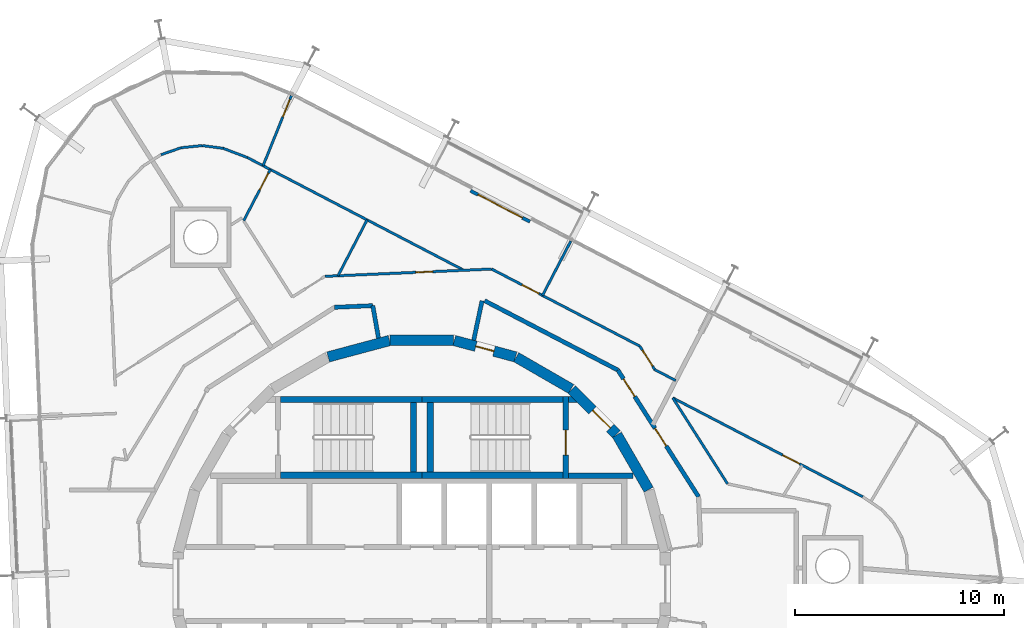
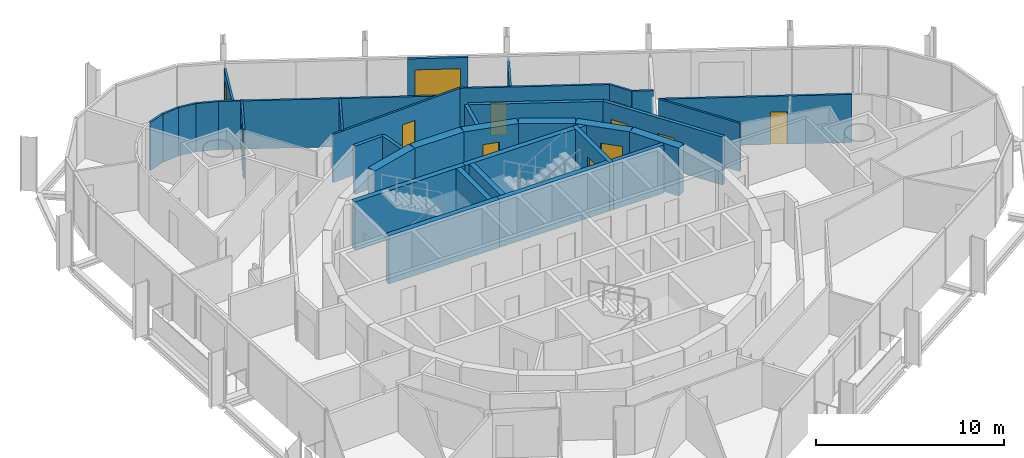
# One storey, part 16 of 18: 36 walls, 12 doors, 12 openings.
"""IFC4 building model written with IfcOpenShell, lengths in metres."""

from ifc_helpers import new_model, si_unit, direction, frame, frame_2d, origin, place, context, subcontext, project, spatial, polyline, rectangle, outline, extrude, material, layer, layer_set, type_object, element, fill, save


model = new_model("IFC4")

# Units and contexts
model_context = context("Model", 3, precision=1e-05, world=origin(), true_north=direction((0.0, 1.0)))
body_context = subcontext(model_context, "Body", "Model", "MODEL_VIEW")
ifc_project = project(units=[si_unit("LENGTHUNIT", "METRE"), si_unit("AREAUNIT", "SQUARE_METRE"), si_unit("VOLUMEUNIT", "CUBIC_METRE"), si_unit("PLANEANGLEUNIT", "RADIAN"), si_unit("MASSUNIT", "GRAM", prefix="KILO")], contexts=[model_context])

# Site, building, storey
site_placement = place(None, origin())
site = spatial("IfcSite", under=ifc_project, at=site_placement, CompositionType="ELEMENT")
building_placement = place(site_placement, origin())
building = spatial("IfcBuilding", under=site, at=building_placement, Name="Spindle Arch Residences", CompositionType="ELEMENT")
storey_placement = place(building_placement, frame((0.0, 0.0, 230.199951171875)))
storey = spatial("IfcBuildingStorey", under=building, at=storey_placement, Name="L58", CompositionType="ELEMENT", Elevation=230.199951171875)

# Wall
ifc_material_1 = material(Name="Concrete C50/60", Category="concrete")
ifc_layer_1 = layer(ifc_material_1, 0.5)
ifc_layer_set_1 = layer_set([ifc_layer_1], Name="Core outline wall 500")
wall_type_1 = type_object("IfcWallType", Name="Core outline wall 500", PredefinedType="SHEAR", material=ifc_layer_set_1)
wall_1_placement = place(storey_placement, frame((10.84521484375, 4.510498046875, 0.0), z_axis=(0.0, 0.0, 1.0), x_axis=(-0.500087131594, 0.865975092491, 0.0)))
element("IfcWall", 1, at=wall_1_placement, inside=storey, type_object=wall_type_1, Name="Core outline wall 8", PredefinedType="SHEAR", context=body_context, shape_type="SweptSolid", body=[
    extrude(rectangle(XDim=3.03271484375, YDim=0.5, at=frame_2d((1.516357421875, 0.0))), origin(), (0.0, 0.0, 1.0), 3.1201171875),
])

# Wall, opening, door
wall_2_placement = place(storey_placement, frame((9.30810546875, 7.163818359375, 0.0), z_axis=(0.0, 0.0, 1.0), x_axis=(-0.707106781187, 0.707106781187, 0.0)))
wall_2 = element("IfcWall", 2, at=wall_2_placement, inside=storey, type_object=wall_type_1, Name="Core outline wall 9", PredefinedType="SHEAR", context=body_context, shape_type="SweptSolid", body=[
    extrude(rectangle(XDim=3.032470703125, YDim=0.5, at=frame_2d((1.51611328125, 0.0))), origin(), (0.0, 0.0, 1.0), 3.1201171875),
])
opening_1_placement = place(wall_2_placement, frame((0.416259765625, 0.0, 0.0)))
opening_1 = element("IfcOpeningElement", 3, at=opening_1_placement, cuts=wall_2, Name="Opening R6A1-AD01", PredefinedType="OPENING", context=body_context, shape_type="SweptSolid", body=[
    extrude(rectangle(XDim=1.199951171875, YDim=2.10009765625, at=frame_2d((0.60009765625, 1.050048828125))), frame((0.0, 0.260009765625, 0.0), z_axis=(0.0, -1.0, 0.0), x_axis=(1.0, 0.0, 0.0)), (0.0, 0.0, 1.0), 0.52001953125),
])
ifc_material_2 = material(Name="Steel, fire-resisting door", Category="steel")
door_type_1 = type_object("IfcDoorType", Name="Stair airlock door 1200x2100", OperationType="SINGLE_SWING_LEFT", PredefinedType="DOOR", material=ifc_material_2)
door_1_placement = place(opening_1_placement, origin())
door_1 = element("IfcDoor", 4, at=door_1_placement, inside=storey, type_object=door_type_1, Name="Stair airlock door R6A1-AD01", OperationType="SINGLE_SWING_RIGHT", OverallHeight=2.10009765625, OverallWidth=1.199951171875, PredefinedType="DOOR", context=body_context, shape_type="SweptSolid", body=[
    extrude(rectangle(XDim=1.199951171875, YDim=2.10009765625, at=frame_2d((0.60009765625, 1.050048828125))), frame((0.0, 0.02490234375, 0.0), z_axis=(0.0, -1.0, 0.0), x_axis=(1.0, 0.0, 0.0)), (0.0, 0.0, 1.0), 0.050048828125),
])
fill(opening_1, door_1)

# Wall
wall_3_placement = place(storey_placement, frame((7.13671875, 9.32861328125, 0.0), z_axis=(0.0, 0.0, 1.0), x_axis=(-0.865975092491, 0.500087131594, 0.0)))
element("IfcWall", 5, at=wall_3_placement, inside=storey, type_object=wall_type_1, Name="Core outline wall 10", PredefinedType="SHEAR", context=body_context, shape_type="SweptSolid", body=[
    extrude(rectangle(XDim=3.03271484375, YDim=0.5, at=frame_2d((1.516357421875, 0.0))), origin(), (0.0, 0.0, 1.0), 3.1201171875),
])

# Wall, opening, door
wall_4_placement = place(storey_placement, frame((4.479248046875, 10.858154296875, 0.0), z_axis=(0.0, 0.0, 1.0), x_axis=(-0.965948410781, 0.258734743916, 0.0)))
wall_4 = element("IfcWall", 6, at=wall_4_placement, inside=storey, type_object=wall_type_1, Name="Core outline wall 11", PredefinedType="SHEAR", context=body_context, shape_type="SweptSolid", body=[
    extrude(rectangle(XDim=3.03271484375, YDim=0.5, at=frame_2d((1.516357421875, 0.0))), origin(), (0.0, 0.0, 1.0), 3.1201171875),
])
opening_2_placement = place(wall_4_placement, frame((1.066162109375, 0.0, 0.0)))
opening_2 = element("IfcOpeningElement", 7, at=opening_2_placement, cuts=wall_4, Name="Opening R6A1-WD11", PredefinedType="OPENING", context=body_context, shape_type="SweptSolid", body=[
    extrude(rectangle(XDim=0.89990234375, YDim=2.10009765625, at=frame_2d((0.449951171875, 1.050048828125))), frame((0.0, 0.260009765625, 0.0), z_axis=(0.0, -1.0, 0.0), x_axis=(1.0, 0.0, 0.0)), (0.0, 0.0, 1.0), 0.52001953125),
])
ifc_material_3 = material(Name="Steel, fire-resisting door", Category="steel")
door_type_2 = type_object("IfcDoorType", Name="Service room door 900x2100", OperationType="SINGLE_SWING_LEFT", PredefinedType="DOOR", material=ifc_material_3)
door_2_placement = place(opening_2_placement, origin())
door_2 = element("IfcDoor", 8, at=door_2_placement, inside=storey, type_object=door_type_2, Name="Service room door R6A1-WD11", OperationType="SINGLE_SWING_LEFT", OverallHeight=2.10009765625, OverallWidth=0.89990234375, PredefinedType="DOOR", context=body_context, shape_type="SweptSolid", body=[
    extrude(rectangle(XDim=0.89990234375, YDim=2.10009765625, at=frame_2d((0.449951171875, 1.050048828125))), frame((0.0, 0.02490234375, 0.0), z_axis=(0.0, -1.0, 0.0), x_axis=(1.0, 0.0, 0.0)), (0.0, 0.0, 1.0), 0.050048828125),
])
fill(opening_2, door_2)

# Walls
for number, where, z_axis, x_axis, name in (
    (9, (1.516357421875, 11.647216796875, 0.0), (0.0, 0.0, 1.0), (-1.0, 0.0, 0.0), "Core outline wall 12"),
    (10, (-1.5498046875, 11.642822265625, 0.0), (0.0, 0.0, 1.0), (-0.965948410781, -0.258734743916, 0.0), "Core outline wall 13"),
):
    element("IfcWall", number, at=place(storey_placement, frame(where, z_axis=z_axis, x_axis=x_axis)), inside=storey, type_object=wall_type_1, Name=name, PredefinedType="SHEAR", context=body_context, shape_type="SweptSolid", body=[
        extrude(rectangle(XDim=3.03271484375, YDim=0.5, at=frame_2d((1.516357421875, 0.0))), origin(), (0.0, 0.0, 1.0), 3.1201171875),
    ])

# Wall, openings, doors
ifc_material_4 = material(Name="Calcium silicate block, plastered")
ifc_layer_2 = layer(ifc_material_4, 0.199951171875)
ifc_layer_set_2 = layer_set([ifc_layer_2], Name="Corridor wall 200")
wall_type_2 = type_object("IfcWallType", Name="Corridor wall 200", PredefinedType="STANDARD", material=ifc_layer_set_2)
wall_5_placement = place(storey_placement, frame((13.230712890625, 4.171630859375, 0.0), z_axis=(0.0, 0.0, 1.0), x_axis=(-0.537304397561, 0.843388394728, 0.0)))
wall_5 = element("IfcWall", 11, at=wall_5_placement, inside=storey, type_object=wall_type_2, Name="Corridor wall R6A1-W004", PredefinedType="STANDARD", context=body_context, shape_type="SweptSolid", body=[
    extrude(rectangle(XDim=7.180908203125, YDim=0.199951171875, at=frame_2d((3.59033203125, 0.0))), origin(), (0.0, 0.0, 1.0), 3.1201171875),
])
opening_3_placement = place(wall_5_placement, frame((2.881103515625, 0.0, 0.0)))
opening_3 = element("IfcOpeningElement", 12, at=opening_3_placement, cuts=wall_5, Name="Opening R6A1-FD01", PredefinedType="OPENING", context=body_context, shape_type="SweptSolid", body=[
    extrude(rectangle(XDim=1.0, YDim=2.10009765625, at=frame_2d((0.5, 1.050048828125))), frame((0.0, 0.10986328125, 0.0), z_axis=(0.0, -1.0, 0.0), x_axis=(1.0, 0.0, 0.0)), (0.0, 0.0, 1.0), 0.219970703125),
])
opening_4_placement = place(wall_5_placement, frame((5.68115234375, 0.0, 0.0)))
opening_4 = element("IfcOpeningElement", 13, at=opening_4_placement, cuts=wall_5, Name="Opening R6A1-FD02", PredefinedType="OPENING", context=body_context, shape_type="SweptSolid", body=[
    extrude(rectangle(XDim=1.0, YDim=2.10009765625, at=frame_2d((0.5, 1.050048828125))), frame((0.0, 0.10986328125, 0.0), z_axis=(0.0, -1.0, 0.0), x_axis=(1.0, 0.0, 0.0)), (0.0, 0.0, 1.0), 0.219970703125),
])
ifc_material_5 = material(Name="Timber, fire-resisting door set", Category="wood")
door_type_3 = type_object("IfcDoorType", Name="Flat entrance door 1000x2100", OperationType="NOTDEFINED", PredefinedType="DOOR", material=ifc_material_5)
door_3_placement = place(opening_3_placement, origin())
door_3 = element("IfcDoor", 14, at=door_3_placement, inside=storey, type_object=door_type_3, Name="Flat entrance door R6A1-FD01", OperationType="SINGLE_SWING_LEFT", OverallHeight=2.10009765625, OverallWidth=1.0, PredefinedType="DOOR", context=body_context, shape_type="SweptSolid", body=[
    extrude(rectangle(XDim=1.0, YDim=2.10009765625, at=frame_2d((0.5, 1.050048828125))), frame((0.0, 0.02490234375, 0.0), z_axis=(0.0, -1.0, 0.0), x_axis=(1.0, 0.0, 0.0)), (0.0, 0.0, 1.0), 0.050048828125),
])
fill(opening_3, door_3)
door_4_placement = place(opening_4_placement, origin())
door_4 = element("IfcDoor", 15, at=door_4_placement, inside=storey, type_object=door_type_3, Name="Flat entrance door R6A1-FD02", OperationType="SINGLE_SWING_LEFT", OverallHeight=2.10009765625, OverallWidth=1.0, PredefinedType="DOOR", context=body_context, shape_type="SweptSolid", body=[
    extrude(rectangle(XDim=1.0, YDim=2.10009765625, at=frame_2d((0.5, 1.050048828125))), frame((0.0, 0.02490234375, 0.0), z_axis=(0.0, -1.0, 0.0), x_axis=(1.0, 0.0, 0.0)), (0.0, 0.0, 1.0), 0.050048828125),
])
fill(opening_4, door_4)

# Walls
wall_6_placement = place(storey_placement, frame((9.372314453125, 10.22802734375, 0.0), z_axis=(0.0, 0.0, 1.0), x_axis=(-0.887005184532, 0.461759464021, 0.0)))
element("IfcWall", 16, at=wall_6_placement, inside=storey, type_object=wall_type_2, Name="Corridor wall R6A1-W005", PredefinedType="STANDARD", context=body_context, shape_type="SweptSolid", body=[
    extrude(rectangle(XDim=7.18115234375, YDim=0.199951171875, at=frame_2d((3.590576171875, 0.0))), origin(), (0.0, 0.0, 1.0), 3.1201171875),
])
wall_7_placement = place(storey_placement, frame((2.877685546875, 13.538330078125, 0.0), z_axis=(0.0, 0.0, 1.0), x_axis=(-0.207893604596, -0.978151444904, 0.0)))
element("IfcWall", 17, at=wall_7_placement, inside=storey, type_object=wall_type_2, Name="Corridor wall R6A1-W006", PredefinedType="STANDARD", context=body_context, shape_type="SweptSolid", body=[
    extrude(rectangle(XDim=1.927001953125, YDim=0.199951171875, at=frame_2d((0.96337890625, 0.0))), origin(), (0.0, 0.0, 1.0), 3.1201171875),
])
wall_8_placement = place(storey_placement, frame((-2.07373046875, 11.76123046875, 0.0), z_axis=(0.0, 0.0, 1.0), x_axis=(-0.173679082312, 0.984802303189, 0.0)))
element("IfcWall", 18, at=wall_8_placement, inside=storey, type_object=wall_type_2, Name="Corridor wall R6A1-W010", PredefinedType="STANDARD", context=body_context, shape_type="SweptSolid", body=[
    extrude(rectangle(XDim=1.572998046875, YDim=0.199951171875, at=frame_2d((0.78662109375, 0.0))), origin(), (0.0, 0.0, 1.0), 3.1201171875),
])
wall_9_placement = place(storey_placement, frame((-2.346923828125, 13.310302734375, 0.0), z_axis=(0.0, 0.0, 1.0), x_axis=(-0.999050095671, -0.043576442492, 0.0)))
element("IfcWall", 19, at=wall_9_placement, inside=storey, type_object=wall_type_2, Name="Corridor wall R6A1-W011", PredefinedType="STANDARD", context=body_context, shape_type="SweptSolid", body=[
    extrude(rectangle(XDim=1.826416015625, YDim=0.199951171875, at=frame_2d((0.9130859375, 0.0))), origin(), (0.0, 0.0, 1.0), 3.1201171875),
])
ifc_material_6 = material(Name="Plasterboard on steel studs", Category="steel")
ifc_layer_3 = layer(ifc_material_6, 0.1201171875)
ifc_layer_set_3 = layer_set([ifc_layer_3], Name="Flat partition 120")
wall_type_3 = type_object("IfcWallType", Name="Flat partition 120", PredefinedType="PARTITIONING", material=ifc_layer_set_3)
wall_10_placement = place(storey_placement, frame((14.615478515625, 4.78955078125, 0.0), z_axis=(0.0, 0.0, 1.0), x_axis=(-0.537312928062, 0.843382960071, 0.0)))
element("IfcWall", 20, at=wall_10_placement, inside=storey, type_object=wall_type_3, Name="Flat partition R6A1-W042", PredefinedType="PARTITIONING", context=body_context, shape_type="SweptSolid", body=[
    extrude(rectangle(XDim=4.87451171875, YDim=0.1201171875, at=frame_2d((2.437255859375, 0.0))), origin(), (0.0, 0.0, 1.0), 3.1201171875),
])

# Wall, opening, door
wall_11_placement = place(storey_placement, frame((21.085205078125, 4.16943359375, 0.0), z_axis=(0.0, 0.0, 1.0), x_axis=(-0.887017373034, 0.461736050071, 0.0)))
wall_11 = element("IfcWall", 21, at=wall_11_placement, inside=storey, type_object=wall_type_3, Name="Flat partition R6A1-W050", PredefinedType="PARTITIONING", context=body_context, shape_type="SweptSolid", body=[
    extrude(rectangle(XDim=10.24658203125, YDim=0.1201171875, at=frame_2d((5.123291015625, 0.0))), origin(), (0.0, 0.0, 1.0), 3.1201171875),
])
opening_5_placement = place(wall_11_placement, frame((3.42529296875, 0.0, 0.0)))
opening_5 = element("IfcOpeningElement", 22, at=opening_5_placement, cuts=wall_11, Name="Opening R6A1-ID02", PredefinedType="OPENING", context=body_context, shape_type="SweptSolid", body=[
    extrude(rectangle(XDim=0.89990234375, YDim=2.10009765625, at=frame_2d((0.449951171875, 1.050048828125))), frame((0.0, 0.070068359375, 0.0), z_axis=(0.0, -1.0, 0.0), x_axis=(1.0, 0.0, 0.0)), (0.0, 0.0, 1.0), 0.14013671875),
])
ifc_material_7 = material(Name="Timber door set", Category="wood")
door_type_4 = type_object("IfcDoorType", Name="Room door 900x2100", OperationType="NOTDEFINED", PredefinedType="DOOR", material=ifc_material_7)
door_5_placement = place(opening_5_placement, origin())
door_5 = element("IfcDoor", 23, at=door_5_placement, inside=storey, type_object=door_type_4, Name="Room door R6A1-ID02", OperationType="SINGLE_SWING_LEFT", OverallHeight=2.10009765625, OverallWidth=0.89990234375, PredefinedType="DOOR", context=body_context, shape_type="SweptSolid", body=[
    extrude(rectangle(XDim=0.89990234375, YDim=2.10009765625, at=frame_2d((0.449951171875, 1.050048828125))), frame((0.0, 0.02490234375, 0.0), z_axis=(0.0, -1.0, 0.0), x_axis=(1.0, 0.0, 0.0)), (0.0, 0.0, 1.0), 0.050048828125),
])
fill(opening_5, door_5)

# Wall
wall_12_placement = place(storey_placement, frame((12.138671875, 9.728515625, 0.0), z_axis=(0.0, 0.0, 1.0), x_axis=(-0.887046876331, 0.461679368383, 0.0)))
element("IfcWall", 24, at=wall_12_placement, inside=storey, type_object=wall_type_3, Name="Flat partition R6A1-W051", PredefinedType="PARTITIONING", context=body_context, shape_type="SweptSolid", body=[
    extrude(rectangle(XDim=1.129638671875, YDim=0.1201171875, at=frame_2d((0.56494140625, 0.0))), origin(), (0.0, 0.0, 1.0), 3.1201171875),
])

# Wall, opening, door
wall_13_placement = place(storey_placement, frame((11.13671875, 10.25, 0.0), z_axis=(0.0, 0.0, 1.0), x_axis=(-0.537231369635, 0.843434914786, 0.0)))
wall_13 = element("IfcWall", 25, at=wall_13_placement, inside=storey, type_object=wall_type_3, Name="Flat partition R6A1-W052", PredefinedType="PARTITIONING", context=body_context, shape_type="SweptSolid", body=[
    extrude(rectangle(XDim=1.33154296875, YDim=0.1201171875, at=frame_2d((0.665771484375, 0.0))), origin(), (0.0, 0.0, 1.0), 3.1201171875),
])
opening_6_placement = place(wall_13_placement, frame((0.199951171875, 0.0, 0.0)))
opening_6 = element("IfcOpeningElement", 26, at=opening_6_placement, cuts=wall_13, Name="Opening R6A1-ID04", PredefinedType="OPENING", context=body_context, shape_type="SweptSolid", body=[
    extrude(rectangle(XDim=0.89990234375, YDim=2.10009765625, at=frame_2d((0.449951171875, 1.050048828125))), frame((0.0, 0.070068359375, 0.0), z_axis=(0.0, -1.0, 0.0), x_axis=(1.0, 0.0, 0.0)), (0.0, 0.0, 1.0), 0.14013671875),
])
door_6_placement = place(opening_6_placement, origin())
door_6 = element("IfcDoor", 27, at=door_6_placement, inside=storey, type_object=door_type_4, Name="Room door R6A1-ID04", OperationType="SINGLE_SWING_LEFT", OverallHeight=2.10009765625, OverallWidth=0.89990234375, PredefinedType="DOOR", context=body_context, shape_type="SweptSolid", body=[
    extrude(rectangle(XDim=0.89990234375, YDim=2.10009765625, at=frame_2d((0.449951171875, 1.050048828125))), frame((0.0, 0.02490234375, 0.0), z_axis=(0.0, -1.0, 0.0), x_axis=(1.0, 0.0, 0.0)), (0.0, 0.0, 1.0), 0.050048828125),
])
fill(opening_6, door_6)

wall_14_placement = place(storey_placement, frame((10.42138671875, 11.373046875, 0.0), z_axis=(0.0, 0.0, 1.0), x_axis=(-0.887012970857, 0.461744506769, 0.0)))
wall_14 = element("IfcWall", 28, at=wall_14_placement, inside=storey, type_object=wall_type_3, Name="Flat partition R6A1-W053", PredefinedType="PARTITIONING", context=body_context, shape_type="SweptSolid", body=[
    extrude(rectangle(XDim=7.98486328125, YDim=0.1201171875, at=frame_2d((3.992431640625, 0.0))), origin(), (0.0, 0.0, 1.0), 3.1201171875),
])
opening_7_placement = place(wall_14_placement, frame((5.447509765625, 0.0, 0.0)))
opening_7 = element("IfcOpeningElement", 29, at=opening_7_placement, cuts=wall_14, Name="Opening R6A1-ID05", PredefinedType="OPENING", context=body_context, shape_type="SweptSolid", body=[
    extrude(rectangle(XDim=0.89990234375, YDim=2.10009765625, at=frame_2d((0.449951171875, 1.050048828125))), frame((0.0, 0.070068359375, 0.0), z_axis=(0.0, -1.0, 0.0), x_axis=(1.0, 0.0, 0.0)), (0.0, 0.0, 1.0), 0.14013671875),
])
door_7_placement = place(opening_7_placement, origin())
door_7 = element("IfcDoor", 30, at=door_7_placement, inside=storey, type_object=door_type_4, Name="Room door R6A1-ID05", OperationType="SINGLE_SWING_RIGHT", OverallHeight=2.10009765625, OverallWidth=0.89990234375, PredefinedType="DOOR", context=body_context, shape_type="SweptSolid", body=[
    extrude(rectangle(XDim=0.89990234375, YDim=2.10009765625, at=frame_2d((0.449951171875, 1.050048828125))), frame((0.0, 0.02490234375, 0.0), z_axis=(0.0, -1.0, 0.0), x_axis=(1.0, 0.0, 0.0)), (0.0, 0.0, 1.0), 0.050048828125),
])
fill(opening_7, door_7)

wall_15_placement = place(storey_placement, frame((3.338623046875, 15.06005859375, 0.0), z_axis=(0.0, 0.0, 1.0), x_axis=(-0.999047716945, -0.043630943905, 0.0)))
wall_15 = element("IfcWall", 31, at=wall_15_placement, inside=storey, type_object=wall_type_3, Name="Flat partition R6A1-W054", PredefinedType="PARTITIONING", context=body_context, shape_type="SweptSolid", body=[
    extrude(rectangle(XDim=7.98486328125, YDim=0.1201171875, at=frame_2d((3.992431640625, 0.0))), origin(), (0.0, 0.0, 1.0), 3.1201171875),
])
opening_8_placement = place(wall_15_placement, frame((2.831298828125, 0.0, 0.0)))
opening_8 = element("IfcOpeningElement", 32, at=opening_8_placement, cuts=wall_15, Name="Opening R6A1-BD02", PredefinedType="OPENING", context=body_context, shape_type="SweptSolid", body=[
    extrude(rectangle(XDim=0.800048828125, YDim=2.10009765625, at=frame_2d((0.39990234375, 1.050048828125))), frame((0.0, 0.070068359375, 0.0), z_axis=(0.0, -1.0, 0.0), x_axis=(1.0, 0.0, 0.0)), (0.0, 0.0, 1.0), 0.14013671875),
])
ifc_material_8 = material(Name="Timber door set", Category="wood")
door_type_5 = type_object("IfcDoorType", Name="Bathroom door 800x2100", OperationType="NOTDEFINED", PredefinedType="DOOR", material=ifc_material_8)
door_8_placement = place(opening_8_placement, origin())
door_8 = element("IfcDoor", 33, at=door_8_placement, inside=storey, type_object=door_type_5, Name="Bathroom door R6A1-BD02", OperationType="SINGLE_SWING_RIGHT", OverallHeight=2.10009765625, OverallWidth=0.800048828125, PredefinedType="DOOR", context=body_context, shape_type="SweptSolid", body=[
    extrude(rectangle(XDim=0.800048828125, YDim=2.10009765625, at=frame_2d((0.39990234375, 1.050048828125))), frame((0.0, 0.02490234375, 0.0), z_axis=(0.0, -1.0, 0.0), x_axis=(1.0, 0.0, 0.0)), (0.0, 0.0, 1.0), 0.050048828125),
])
fill(opening_8, door_8)

# Walls
wall_16_placement = place(storey_placement, frame((-8.350341796875, 20.394287109375, 0.0), z_axis=(0.0, 0.0, 1.0), x_axis=(0.887020940825, -0.461729196107, 0.0)))
element("IfcWall", 34, at=wall_16_placement, inside=storey, type_object=wall_type_3, Name="Flat partition R6A1-W059", PredefinedType="PARTITIONING", context=body_context, shape_type="SweptSolid", body=[
    extrude(rectangle(XDim=11.678466796875, YDim=0.1201171875, at=frame_2d((5.83935546875, 0.0))), origin(), (0.0, 0.0, 1.0), 3.1201171875),
])
wall_17_placement = place(storey_placement, frame((-2.619140625, 17.410888671875, 0.0), z_axis=(0.0, 0.0, 1.0), x_axis=(-0.461743141736, -0.887013681439, 0.0)))
element("IfcWall", 35, at=wall_17_placement, inside=storey, type_object=wall_type_3, Name="Flat partition R6A1-W061", PredefinedType="PARTITIONING", context=body_context, shape_type="SweptSolid", body=[
    extrude(rectangle(XDim=3.01220703125, YDim=0.1201171875, at=frame_2d((1.506103515625, 0.0))), origin(), (0.0, 0.0, 1.0), 3.1201171875),
])

# Wall, opening, door
wall_18_placement = place(storey_placement, frame((-7.246826171875, 19.820068359375, 0.0), z_axis=(0.0, 0.0, 1.0), x_axis=(-0.46174004932, -0.887015291218, 0.0)))
wall_18 = element("IfcWall", 36, at=wall_18_placement, inside=storey, type_object=wall_type_3, Name="Flat partition R6A1-W062", PredefinedType="PARTITIONING", context=body_context, shape_type="SweptSolid", body=[
    extrude(rectangle(XDim=2.758544921875, YDim=0.1201171875, at=frame_2d((1.37939453125, 0.0))), origin(), (0.0, 0.0, 1.0), 3.1201171875),
])
opening_9_placement = place(wall_18_placement, frame((0.199951171875, 0.0, 0.0)))
opening_9 = element("IfcOpeningElement", 37, at=opening_9_placement, cuts=wall_18, Name="Opening R6A1-ID07", PredefinedType="OPENING", context=body_context, shape_type="SweptSolid", body=[
    extrude(rectangle(XDim=0.89990234375, YDim=2.10009765625, at=frame_2d((0.449951171875, 1.050048828125))), frame((0.0, 0.070068359375, 0.0), z_axis=(0.0, -1.0, 0.0), x_axis=(1.0, 0.0, 0.0)), (0.0, 0.0, 1.0), 0.14013671875),
])
door_9_placement = place(opening_9_placement, origin())
door_9 = element("IfcDoor", 38, at=door_9_placement, inside=storey, type_object=door_type_4, Name="Room door R6A1-ID07", OperationType="SINGLE_SWING_RIGHT", OverallHeight=2.10009765625, OverallWidth=0.89990234375, PredefinedType="DOOR", context=body_context, shape_type="SweptSolid", body=[
    extrude(rectangle(XDim=0.89990234375, YDim=2.10009765625, at=frame_2d((0.449951171875, 1.050048828125))), frame((0.0, 0.02490234375, 0.0), z_axis=(0.0, -1.0, 0.0), x_axis=(1.0, 0.0, 0.0)), (0.0, 0.0, 1.0), 0.050048828125),
])
fill(opening_9, door_9)

# Walls
wall_19_placement = place(storey_placement, frame((-12.474609375, 20.526611328125, 0.0), z_axis=(0.0, 0.0, 1.0), x_axis=(0.944594007355, 0.32824101095, 0.0)))
element("IfcWall", 39, at=wall_19_placement, inside=storey, type_object=wall_type_3, Name="Flat partition R6A1-W064", PredefinedType="PARTITIONING", context=body_context, shape_type="SweptSolid", body=[
    extrude(rectangle(XDim=1.01611328125, YDim=0.1201171875, at=frame_2d((0.508056640625, 0.0))), origin(), (0.0, 0.0, 1.0), 3.1201171875),
])
wall_20_placement = place(storey_placement, frame((-11.514892578125, 20.860107421875, 0.0), z_axis=(0.0, 0.0, 1.0), x_axis=(0.994818278641, 0.101669034034, 0.0)))
element("IfcWall", 40, at=wall_20_placement, inside=storey, type_object=wall_type_3, Name="Flat partition R6A1-W065", PredefinedType="PARTITIONING", context=body_context, shape_type="SweptSolid", body=[
    extrude(rectangle(XDim=1.015869140625, YDim=0.1201171875, at=frame_2d((0.5078125, 0.0))), origin(), (0.0, 0.0, 1.0), 3.1201171875),
])
wall_21_placement = place(storey_placement, frame((-10.50439453125, 20.96337890625, 0.0), z_axis=(0.0, 0.0, 1.0), x_axis=(0.991451023706, -0.13047937612, 0.0)))
element("IfcWall", 41, at=wall_21_placement, inside=storey, type_object=wall_type_3, Name="Flat partition R6A1-W066", PredefinedType="PARTITIONING", context=body_context, shape_type="SweptSolid", body=[
    extrude(rectangle(XDim=1.01611328125, YDim=0.1201171875, at=frame_2d((0.508056640625, 0.0))), origin(), (0.0, 0.0, 1.0), 3.1201171875),
])
wall_22_placement = place(storey_placement, frame((-9.4970703125, 20.830810546875, 0.0), z_axis=(0.0, 0.0, 1.0), x_axis=(0.934575963521, -0.355763641213, 0.0)))
element("IfcWall", 42, at=wall_22_placement, inside=storey, type_object=wall_type_3, Name="Flat partition R6A1-W067", PredefinedType="PARTITIONING", context=body_context, shape_type="SweptSolid", body=[
    extrude(rectangle(XDim=1.22705078125, YDim=0.1201171875, at=frame_2d((0.613525390625, 0.0))), origin(), (0.0, 0.0, 1.0), 3.1201171875),
])
ifc_material_9 = material(Name="Plasterboard on steel studs", Category="steel")
ifc_layer_4 = layer(ifc_material_9, 0.1201171875)
ifc_layer_set_4 = layer_set([ifc_layer_4], Name="Flat partition 120 under beam 2730")
wall_type_4 = type_object("IfcWallType", Name="Flat partition 120 under beam 2730", PredefinedType="PARTITIONING", material=ifc_layer_set_4)
wall_23_placement = place(storey_placement, frame((7.121826171875, 16.398681640625, 0.0), z_axis=(0.0, 0.0, 1.0), x_axis=(-0.461763975246, -0.887002836053, 0.0)))
element("IfcWall", 43, at=wall_23_placement, inside=storey, type_object=wall_type_4, Name="Flat partition R6A1-W058", PredefinedType="PARTITIONING", context=body_context, shape_type="SweptSolid", body=[
    extrude(rectangle(XDim=2.934326171875, YDim=0.1201171875, at=frame_2d((1.46728515625, 0.0))), origin(), (0.0, 0.0, 1.0), 2.72998046875),
])

# Wall, opening, door
wall_24_placement = place(storey_placement, frame((-6.23681640625, 23.352783203125, 0.0), z_axis=(0.0, 0.0, 1.0), x_axis=(-0.375089171101, -0.92698873441, 0.0)))
wall_24 = element("IfcWall", 44, at=wall_24_placement, inside=storey, type_object=wall_type_4, Name="Flat partition R6A1-W060", PredefinedType="PARTITIONING", context=body_context, shape_type="SweptSolid", body=[
    extrude(rectangle(XDim=3.6162109375, YDim=0.1201171875, at=frame_2d((1.80810546875, 0.0))), origin(), (0.0, 0.0, 1.0), 2.72998046875),
])
opening_10_placement = place(wall_24_placement, frame((0.199951171875, 0.0, 0.0)))
opening_10 = element("IfcOpeningElement", 45, at=opening_10_placement, cuts=wall_24, Name="Opening R6A1-ID08", PredefinedType="OPENING", context=body_context, shape_type="SweptSolid", body=[
    extrude(rectangle(XDim=0.89990234375, YDim=2.10009765625, at=frame_2d((0.449951171875, 1.050048828125))), frame((0.0, 0.070068359375, 0.0), z_axis=(0.0, -1.0, 0.0), x_axis=(1.0, 0.0, 0.0)), (0.0, 0.0, 1.0), 0.14013671875),
])
door_10_placement = place(opening_10_placement, origin())
door_10 = element("IfcDoor", 46, at=door_10_placement, inside=storey, type_object=door_type_4, Name="Room door R6A1-ID08", OperationType="SINGLE_SWING_RIGHT", OverallHeight=2.10009765625, OverallWidth=0.89990234375, PredefinedType="DOOR", context=body_context, shape_type="SweptSolid", body=[
    extrude(rectangle(XDim=0.89990234375, YDim=2.10009765625, at=frame_2d((0.449951171875, 1.050048828125))), frame((0.0, 0.02490234375, 0.0), z_axis=(0.0, -1.0, 0.0), x_axis=(1.0, 0.0, 0.0)), (0.0, 0.0, 1.0), 0.050048828125),
])
fill(opening_10, door_10)

ifc_material_10 = material(Name="Non-combustible mineral wool insulated aluminium faced external wall (K0)", Category="aluminium")
ifc_layer_5 = layer(ifc_material_10, 0.159912109375)
ifc_layer_set_5 = layer_set([ifc_layer_5], Name="Insulated external wall panel 160")
wall_type_5 = type_object("IfcWallType", Name="Insulated external wall panel 160", PredefinedType="STANDARD", material=ifc_layer_set_5)
wall_25_placement = place(storey_placement, frame((5.164306640625, 17.327392578125, 0.0), z_axis=(0.0, 0.0, 1.0), x_axis=(-0.886983100078, 0.461801884119, 0.0)))
wall_25 = element("IfcWall", 47, at=wall_25_placement, inside=storey, type_object=wall_type_5, Name="External wall L58 bay 8", PredefinedType="STANDARD", context=body_context, shape_type="SweptSolid", body=[
    extrude(rectangle(XDim=3.199951171875, YDim=0.159912109375, at=frame_2d((1.60009765625, 0.0))), origin(), (0.0, 0.0, 1.0), 3.1201171875),
])
opening_11_placement = place(wall_25_placement, frame((0.39990234375, 0.0, 0.0)))
opening_11 = element("IfcOpeningElement", 48, at=opening_11_placement, cuts=wall_25, Name="Opening BD08", PredefinedType="OPENING", context=body_context, shape_type="SweptSolid", body=[
    extrude(rectangle(XDim=2.39990234375, YDim=2.39990234375, at=frame_2d((1.199951171875, 1.199951171875))), frame((0.0, 0.08984375, 0.0), z_axis=(0.0, -1.0, 0.0), x_axis=(1.0, 0.0, 0.0)), (0.0, 0.0, 1.0), 0.179931640625),
])
ifc_material_11 = material(Name="Bronze aluminium frame, tinted double glazing", Category="aluminium")
door_type_6 = type_object("IfcDoorType", Name="Sliding glazed balcony door 2400x2400", OperationType="DOUBLE_DOOR_SLIDING", PredefinedType="DOOR", material=ifc_material_11)
door_11_placement = place(opening_11_placement, origin())
door_11 = element("IfcDoor", 49, at=door_11_placement, inside=storey, type_object=door_type_6, Name="Balcony door BD08", OperationType="DOUBLE_DOOR_SLIDING", OverallHeight=2.39990234375, OverallWidth=2.39990234375, PredefinedType="DOOR", context=body_context, shape_type="SweptSolid", body=[
    extrude(rectangle(XDim=2.39990234375, YDim=2.39990234375, at=frame_2d((1.199951171875, 1.199951171875))), frame((0.0, 0.02490234375, 0.0), z_axis=(0.0, -1.0, 0.0), x_axis=(1.0, 0.0, 0.0)), (0.0, 0.0, 1.0), 0.050048828125),
])
fill(opening_11, door_11)

# Walls
ifc_material_12 = material(Name="Concrete C40/50", Category="concrete")
ifc_layer_6 = layer(ifc_material_12, 0.25)
ifc_layer_set_6 = layer_set([ifc_layer_6], Name="Stair airlock wall 250")
wall_type_6 = type_object("IfcWallType", Name="Stair airlock wall 250", PredefinedType="SHEAR", material=ifc_layer_set_6)
wall_26_placement = place(storey_placement, frame((7.0, 5.175048828125, 0.0), z_axis=(0.0, 0.0, 1.0), x_axis=(1.0, 0.0, 0.0)))
element("IfcWall", 50, at=wall_26_placement, inside=storey, type_object=wall_type_6, Name="Stair ST-1 airlock wall S", PredefinedType="SHEAR", context=body_context, shape_type="SweptSolid", body=[
    extrude(rectangle(XDim=3.10009765625, YDim=0.25, at=frame_2d((1.550048828125, 0.0))), origin(), (0.0, 0.0, 1.0), 3.1201171875),
])
ifc_material_13 = material(Name="Concrete C40/50", Category="concrete")
wall_type_7 = type_object("IfcWallType", Name="Stair airlock wall profile", PredefinedType="SHEAR", material=ifc_material_13)
wall_27_placement = place(storey_placement, origin())
element("IfcWall", 51, at=wall_27_placement, inside=storey, type_object=wall_type_7, Name="Stair ST-1 airlock wall N", PredefinedType="SHEAR", context=body_context, shape_type="SweptSolid", body=[
    extrude(outline(polyline([(7.4482421875, 8.669921875), (7.0, 8.669921875), (7.0, 8.969970703125), (7.148193359375, 8.969970703125), (7.4482421875, 8.669921875)])), origin(), (0.0, 0.0, 1.0), 3.1201171875),
])

# Wall, opening, door
ifc_material_14 = material(Name="Concrete C50/60", Category="concrete")
ifc_layer_7 = layer(ifc_material_14, 0.25)
ifc_layer_set_7 = layer_set([ifc_layer_7], Name="Stair enclosure wall 250")
wall_type_8 = type_object("IfcWallType", Name="Stair enclosure wall 250", PredefinedType="SHEAR", material=ifc_layer_set_7)
wall_28_placement = place(storey_placement, frame((6.875, 5.050048828125, 0.0), z_axis=(0.0, 0.0, 1.0), x_axis=(0.0, 1.0, 0.0)))
wall_28 = element("IfcWall", 52, at=wall_28_placement, inside=storey, type_object=wall_type_8, Name="Stair ST-1 door wall", PredefinedType="SHEAR", context=body_context, shape_type="SweptSolid", body=[
    extrude(rectangle(XDim=3.919921875, YDim=0.25, at=frame_2d((1.9599609375, 0.0))), origin(), (0.0, 0.0, 1.0), 3.1201171875),
])
opening_12_placement = place(wall_28_placement, frame((1.110107421875, 0.0, 0.0)))
opening_12 = element("IfcOpeningElement", 53, at=opening_12_placement, cuts=wall_28, Name="Opening R6A1-SD01", PredefinedType="OPENING", context=body_context, shape_type="SweptSolid", body=[
    extrude(rectangle(XDim=1.199951171875, YDim=2.10009765625, at=frame_2d((0.60009765625, 1.050048828125))), frame((0.0, 0.135009765625, 0.0), z_axis=(0.0, -1.0, 0.0), x_axis=(1.0, 0.0, 0.0)), (0.0, 0.0, 1.0), 0.27001953125),
])
ifc_material_15 = material(Name="Steel, fire-resisting door", Category="steel")
door_type_7 = type_object("IfcDoorType", Name="Stair door 1200x2100", OperationType="SINGLE_SWING_RIGHT", PredefinedType="DOOR", material=ifc_material_15)
door_12_placement = place(opening_12_placement, origin())
door_12 = element("IfcDoor", 54, at=door_12_placement, inside=storey, type_object=door_type_7, Name="Stair door R6A1-SD01", OperationType="SINGLE_SWING_LEFT", OverallHeight=2.10009765625, OverallWidth=1.199951171875, PredefinedType="DOOR", context=body_context, shape_type="SweptSolid", body=[
    extrude(rectangle(XDim=1.199951171875, YDim=2.10009765625, at=frame_2d((0.60009765625, 1.050048828125))), frame((0.0, 0.02490234375, 0.0), z_axis=(0.0, -1.0, 0.0), x_axis=(1.0, 0.0, 0.0)), (0.0, 0.0, 1.0), 0.050048828125),
])
fill(opening_12, door_12)

# Walls
ifc_material_16 = material(Name="Concrete C50/60", Category="concrete")
ifc_layer_8 = layer(ifc_material_16, 0.300048828125)
ifc_layer_set_8 = layer_set([ifc_layer_8], Name="Stair enclosure wall 300")
wall_type_9 = type_object("IfcWallType", Name="Stair enclosure wall 300", PredefinedType="SHEAR", material=ifc_layer_set_8)
for number, where, z_axis, x_axis, name in (
    (55, (0.0, 5.199951171875, 0.0), (0.0, 0.0, 1.0), (1.0, 0.0, 0.0), "Stair ST-1 enclosure wall S"),
    (56, (0.0, 8.820068359375, 0.0), (0.0, 0.0, 1.0), (1.0, 0.0, 0.0), "Stair ST-1 enclosure wall N"),
):
    element("IfcWall", number, at=place(storey_placement, frame(where, z_axis=z_axis, x_axis=x_axis)), inside=storey, type_object=wall_type_9, Name=name, PredefinedType="SHEAR", context=body_context, shape_type="SweptSolid", body=[
        extrude(rectangle(XDim=6.75, YDim=0.300048828125, at=frame_2d((3.375, 0.0))), origin(), (0.0, 0.0, 1.0), 3.1201171875),
    ])
wall_29_placement = place(storey_placement, frame((0.39990234375, 5.35009765625, 0.0), z_axis=(0.0, 0.0, 1.0), x_axis=(0.0, 1.0, 0.0)))
element("IfcWall", 57, at=wall_29_placement, inside=storey, type_object=wall_type_9, Name="Stair ST-1 enclosure wall F", PredefinedType="SHEAR", context=body_context, shape_type="SweptSolid", body=[
    extrude(rectangle(XDim=3.31982421875, YDim=0.300048828125, at=frame_2d((1.659912109375, 0.0))), origin(), (0.0, 0.0, 1.0), 3.1201171875),
])
for number, where, z_axis, x_axis, name in (
    (58, (-6.75, 5.199951171875, 0.0), (0.0, 0.0, 1.0), (1.0, 0.0, 0.0), "Stair ST-2 enclosure wall S"),
    (59, (-6.75, 8.820068359375, 0.0), (0.0, 0.0, 1.0), (1.0, 0.0, 0.0), "Stair ST-2 enclosure wall N"),
):
    element("IfcWall", number, at=place(storey_placement, frame(where, z_axis=z_axis, x_axis=x_axis)), inside=storey, type_object=wall_type_9, Name=name, PredefinedType="SHEAR", context=body_context, shape_type="SweptSolid", body=[
        extrude(rectangle(XDim=6.75, YDim=0.300048828125, at=frame_2d((3.375, 0.0))), origin(), (0.0, 0.0, 1.0), 3.1201171875),
    ])
wall_30_placement = place(storey_placement, frame((-0.39990234375, 5.35009765625, 0.0), z_axis=(0.0, 0.0, 1.0), x_axis=(0.0, 1.0, 0.0)))
element("IfcWall", 60, at=wall_30_placement, inside=storey, type_object=wall_type_9, Name="Stair ST-2 enclosure wall F", PredefinedType="SHEAR", context=body_context, shape_type="SweptSolid", body=[
    extrude(rectangle(XDim=3.31982421875, YDim=0.300048828125, at=frame_2d((1.659912109375, 0.0))), origin(), (0.0, 0.0, 1.0), 3.1201171875),
])

save(model, "model.ifc")
